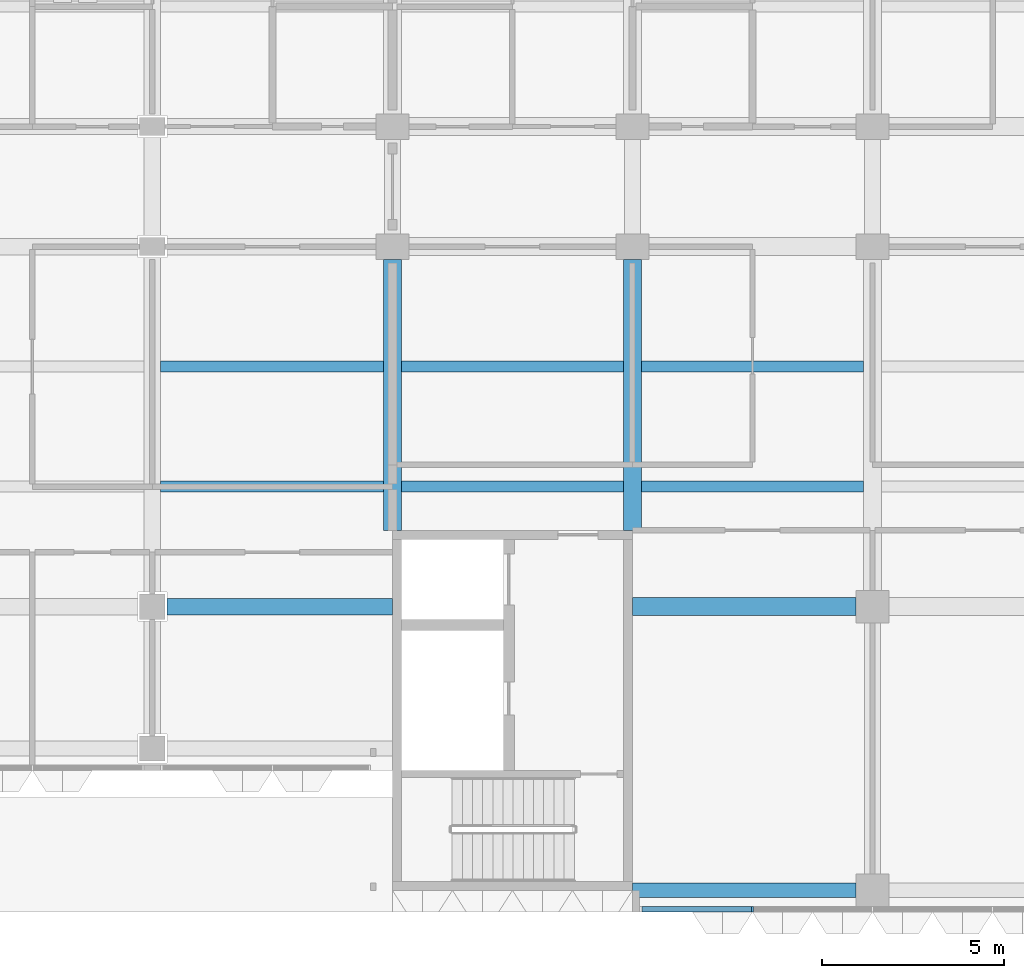
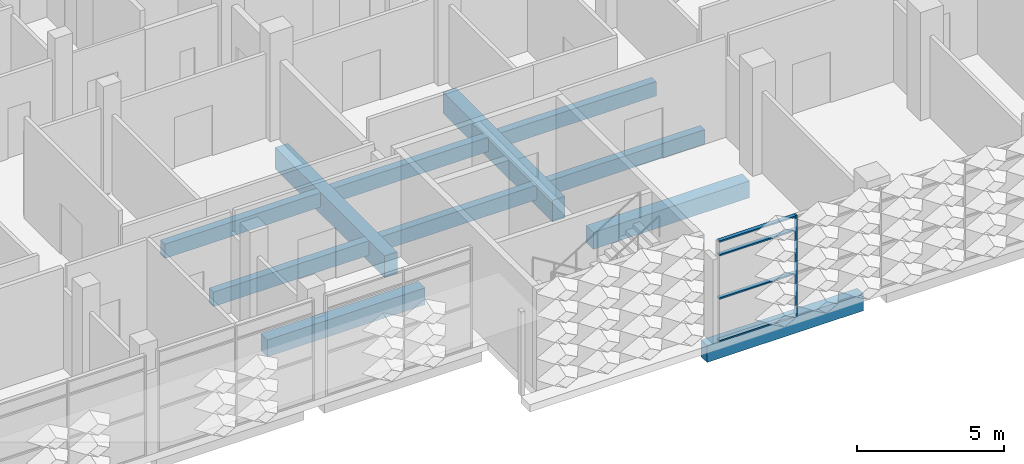
# One storey, part 10 of 109: 11 beams, 5 members, 1 element without a shape of its own.
"""IFC4 building model written with IfcOpenShell, lengths in metres."""

import ifcopenshell
import ifcopenshell.guid

model = None  # the IFC model being written
_history = None  # IfcOwnerHistory: only IFC2X3 demands one
_inside = {}  # id of a spatial element -> (the spatial element, [elements in it])
_under = {}  # id of a project, library or spatial element -> (it, [spatial elements below it])
_declared = {}  # id of a project -> (the project, [libraries it declares])
_typed = {}  # id of a type object -> (the type object, [elements of that type])
_made_of = {}  # id of a material, layer set ... -> (it, [elements and type objects made of it])


def new_model(schema):
    """Start an empty IFC model of exactly this schema.

    Asked for "IFC4X3", IfcOpenShell would pick the latest addendum, in which some entities
    have other attributes; the version numbers below select the first issue.
    IFC2X3 requires an IfcOwnerHistory on every rooted entity: one is made here for all.
    """
    global model, _history
    if schema == "IFC4X3":
        model = ifcopenshell.file(schema_version=(4, 3, 0, 0))
    else:
        model = ifcopenshell.file(schema=schema)
    _inside.clear()
    _under.clear()
    _declared.clear()
    _typed.clear()
    _made_of.clear()
    _history = None
    if model.schema == "IFC2X3":
        org = make("IfcOrganization", Name="unknown")
        user = make(
            "IfcPersonAndOrganization",
            ThePerson=make("IfcPerson", FamilyName="unknown"),
            TheOrganization=org,
        )
        app = make(
            "IfcApplication",
            ApplicationDeveloper=org,
            Version="unknown",
            ApplicationFullName="unknown",
            ApplicationIdentifier="unknown",
        )
        _history = make(
            "IfcOwnerHistory",
            OwningUser=user,
            OwningApplication=app,
            ChangeAction="ADDED",
            CreationDate=0,
        )
    return model


def make(cls, **values):
    """One entity of the class cls with the attributes given. An attribute that is None is left unset."""
    return model.create_entity(
        cls, **{name: value for name, value in values.items() if value is not None}
    )


def rooted(cls, **values):
    """An entity with a GlobalId (a new one), such as an element, a storey or a relation."""
    return make(cls, GlobalId=ifcopenshell.guid.new(), OwnerHistory=_history, **values)


def si_unit(unit_type, name, prefix=None):
    """IfcSIUnit, for example si_unit("LENGTHUNIT", "METRE", prefix="MILLI")."""
    return make("IfcSIUnit", UnitType=unit_type, Prefix=prefix, Name=name)


def assignment(units):
    """IfcUnitAssignment: the units of a project."""
    return None if units is None else make("IfcUnitAssignment", Units=units)


def point(xyz):
    """IfcCartesianPoint."""
    return None if xyz is None else make("IfcCartesianPoint", Coordinates=xyz)


def direction(xyz):
    """IfcDirection."""
    return None if xyz is None else make("IfcDirection", DirectionRatios=xyz)


def frame(location, z_axis=None, x_axis=None):
    """IfcAxis2Placement3D, a coordinate frame: its origin and axes. An axis left out is left unset."""
    return make(
        "IfcAxis2Placement3D",
        Location=point(location),
        Axis=direction(z_axis),
        RefDirection=direction(x_axis),
    )


def frame_2d(location, x_axis=None):
    """IfcAxis2Placement2D, a coordinate frame in the plane: its origin and x axis."""
    return make(
        "IfcAxis2Placement2D", Location=point(location), RefDirection=direction(x_axis)
    )


def origin():
    """The frame at (0, 0, 0) with its axes left unset."""
    return frame((0.0, 0.0, 0.0))


def origin_2d():
    """The frame at (0, 0) in the plane with its x axis left unset."""
    return frame_2d((0.0, 0.0))


def place(relative_to, where):
    """IfcLocalPlacement: puts the frame where relative to a parent placement (None: the world)."""
    return make(
        "IfcLocalPlacement", PlacementRelTo=relative_to, RelativePlacement=where
    )


def context(
    kind, dimensions, precision=None, world=None, true_north=None, identifier=None
):
    """IfcGeometricRepresentationContext, for example the 3D "Model" context."""
    return make(
        "IfcGeometricRepresentationContext",
        ContextIdentifier=identifier,
        ContextType=kind,
        CoordinateSpaceDimension=dimensions,
        Precision=precision,
        WorldCoordinateSystem=world,
        TrueNorth=true_north,
    )


def subcontext(parent, identifier, kind, view, scale=None):
    """IfcGeometricRepresentationSubContext, for example "Body" below "Model"."""
    return make(
        "IfcGeometricRepresentationSubContext",
        ContextIdentifier=identifier,
        ContextType=kind,
        ParentContext=parent,
        TargetScale=scale,
        TargetView=view,
    )


def project(units=None, contexts=None):
    """IfcProject with its units and contexts."""
    return rooted(
        "IfcProject",
        Name="project",
        RepresentationContexts=contexts,
        UnitsInContext=assignment(units),
    )


def spatial(cls, under=None, at=None, **own):
    """A site, building, storey or space (cls), placed at a placement, below another one or the project."""
    s = rooted(cls, ObjectPlacement=at, **own)
    if under is not None:
        _under.setdefault(under.id(), (under, []))[1].append(s)
    return s


def profile(cls, at=None, kind="AREA", **sizes):
    """A parametric profile (cls). Its sizes go by their IFC names, for example OverallWidth=200.0."""
    return make(cls, ProfileType=kind, Position=at, **sizes)


def rectangle(**sizes):
    """IfcRectangleProfileDef."""
    return profile("IfcRectangleProfileDef", **sizes)


def extrude(swept, where, along, depth):
    """IfcExtrudedAreaSolid: the profile swept, set in the frame where, extruded along a direction by depth."""
    return make(
        "IfcExtrudedAreaSolid",
        SweptArea=swept,
        Position=where,
        ExtrudedDirection=direction(along),
        Depth=depth,
    )


def shape(context_of_items, identifier, shape_type, items):
    """IfcShapeRepresentation: the items that make up one representation, for example the "Body"."""
    return make(
        "IfcShapeRepresentation",
        ContextOfItems=context_of_items,
        RepresentationIdentifier=identifier,
        RepresentationType=shape_type,
        Items=items,
    )


def material(Name=None, Category=None):
    """IfcMaterial."""
    return make("IfcMaterial", Name=Name, Category=Category)


def material_profile(
    of_material, cross_section, Name=None, Category=None, Priority=None
):
    """IfcMaterialProfile: a cross section and its material."""
    return make(
        "IfcMaterialProfile",
        Name=Name,
        Material=of_material,
        Profile=cross_section,
        Priority=Priority,
        Category=Category,
    )


def profile_set(profiles, Name=None, composite=None):
    """IfcMaterialProfileSet."""
    return make(
        "IfcMaterialProfileSet",
        Name=Name,
        MaterialProfiles=profiles,
        CompositeProfile=composite,
    )


def made_of(thing, what):
    """Note that an element or type object is made of a material, layer set ...; save() writes the relation."""
    if what is not None:
        _made_of.setdefault(what.id(), (what, []))[1].append(thing)
    return thing


def type_object(cls, material=None, **own):
    """A type object (cls), such as IfcWallType, which elements share."""
    return made_of(rooted(cls, **own), material)


def element(
    cls,
    number,
    at=None,
    inside=None,
    cuts=None,
    type_object=None,
    material=None,
    context=None,
    identifier="Body",
    shape_type=None,
    held_by="IfcProductDefinitionShape",
    body=None,
    shapes=None,
    **own,
):
    """One element of the class cls, such as IfcWall. Its Tag is "e" and its number.

    at: its placement. inside: the storey or other place that contains it. cuts: it is an
    opening in that element (IfcRelVoidsElement). A single representation is given by context,
    identifier, shape_type and body (its items); several are given by shapes. held_by: the class
    of the entity that holds the representations. save() writes the other relations.
    """
    e = rooted(cls, Tag="e%d" % number, ObjectPlacement=at, **own)
    if body is not None:
        shapes = [shape(context, identifier, shape_type, body)]
    if shapes is not None:
        e.Representation = make(held_by, Representations=shapes)
    if inside is not None:
        _inside.setdefault(inside.id(), (inside, []))[1].append(e)
    if cuts is not None:
        rooted(
            "IfcRelVoidsElement", RelatingBuildingElement=cuts, RelatedOpeningElement=e
        )
    if type_object is not None:
        _typed.setdefault(type_object.id(), (type_object, []))[1].append(e)
    return made_of(e, material)


def aggregate(whole, parts):
    """IfcRelAggregates: a whole, such as a stair, and the parts it consists of."""
    return rooted("IfcRelAggregates", RelatingObject=whole, RelatedObjects=parts)


def save(model, path):
    """Write the relations noted so far, then the file.

    IfcRelAggregates (storeys below a building ...), IfcRelContainedInSpatialStructure (elements
    in a storey), IfcRelDefinesByType, IfcRelAssociatesMaterial and IfcRelDeclares: one each for
    every whole, place, type object, material and project.
    """
    for whole, parts in _under.values():
        aggregate(whole, parts)
    for where, things in _inside.values():
        rooted(
            "IfcRelContainedInSpatialStructure",
            RelatedElements=things,
            RelatingStructure=where,
        )
    for kind, things in _typed.values():
        rooted("IfcRelDefinesByType", RelatedObjects=things, RelatingType=kind)
    for what, things in _made_of.values():
        rooted("IfcRelAssociatesMaterial", RelatedObjects=things, RelatingMaterial=what)
    for by, libraries in _declared.values():
        rooted("IfcRelDeclares", RelatingContext=by, RelatedDefinitions=libraries)
    model.write(path)


model = new_model("IFC4")

# Units and contexts
model_context = context("Model", 3, precision=1e-05, world=origin(), true_north=direction((0.0, 1.0)))
body_context = subcontext(model_context, "Body", "Model", "MODEL_VIEW")
ifc_project = project(units=[si_unit("LENGTHUNIT", "METRE"), si_unit("AREAUNIT", "SQUARE_METRE"), si_unit("VOLUMEUNIT", "CUBIC_METRE"), si_unit("PLANEANGLEUNIT", "RADIAN"), si_unit("MASSUNIT", "GRAM", prefix="KILO")], contexts=[model_context])

# Site, building, storey
site_placement = place(None, origin())
site = spatial("IfcSite", under=ifc_project, at=site_placement, CompositionType="ELEMENT")
building_placement = place(site_placement, origin())
building = spatial("IfcBuilding", under=site, at=building_placement, Name="Lantern Court Research Institute", CompositionType="ELEMENT")
storey_placement = place(building_placement, frame((0.0, 0.0, 14.39990234375)))
storey = spatial("IfcBuildingStorey", under=building, at=storey_placement, Name="L03", CompositionType="ELEMENT", Elevation=14.39990234375)

# Curtain wall, member
ifc_material_1 = material(Name="Aluminium alloy 6063-T6", Category="aluminium")
curtain_wall_type = type_object("IfcCurtainWallType", Name="Curtain wall 20200 x 4200 x 150 aluminium frame", PredefinedType="NOTDEFINED", material=ifc_material_1)
curtain_wall_placement = place(storey_placement, origin())
curtain_wall = element("IfcCurtainWall", 1, at=curtain_wall_placement, inside=storey, type_object=curtain_wall_type, Name="Curtain wall CW059", PredefinedType="NOTDEFINED")
ifc_material_2 = material(Name="Aluminium alloy 6063-T6", Category="aluminium")
ifc_material_profile_1 = material_profile(ifc_material_2, rectangle(XDim=0.14990234375, YDim=0.06005859375, at=origin_2d()), Name="Mullion 150 x 60")
ifc_profile_set_1 = profile_set([ifc_material_profile_1], Name="Aluminium alloy 6063-T6")
member_type_1 = type_object("IfcMemberType", Name="Mullion 150 x 60 aluminium", PredefinedType="MULLION", material=ifc_profile_set_1)
member_1_placement = place(storey_placement, frame((62.699951171875, -8.324951171875, 0.0), z_axis=(0.0, 0.0, 1.0), x_axis=(0.0, -1.0, 0.0)))
member_1 = element("IfcMember", 2, at=member_1_placement, type_object=member_type_1, Name="CW059 mullion 2", PredefinedType="MULLION", context=body_context, shape_type="SweptSolid", body=[
    extrude(rectangle(XDim=0.14990234375, YDim=0.06005859375, at=origin_2d()), origin(), (0.0, 0.0, 1.0), 4.2001953125),
])

# Beams
ifc_material_3 = material(Name="Concrete C40/50", Category="concrete")
ifc_material_profile_2 = material_profile(ifc_material_3, rectangle(XDim=0.449951171875, YDim=0.699951171875, at=origin_2d()), Name="RC beam 450 x 700")
ifc_profile_set_2 = profile_set([ifc_material_profile_2], Name="Concrete C40/50")
beam_type_1 = type_object("IfcBeamType", Name="RC beam 450 x 700", PredefinedType="BEAM", material=ifc_profile_set_2)
beam_1_placement = place(storey_placement, frame((46.60009765625, 0.0, -0.64990234375), z_axis=(1.0, 0.0, 0.0), x_axis=(0.0, 1.0, 0.0)))
element("IfcBeam", 3, at=beam_1_placement, inside=storey, type_object=beam_type_1, Name="Beam L03 grid A/8-9", PredefinedType="BEAM", context=body_context, shape_type="SweptSolid", body=[
    extrude(rectangle(XDim=0.449951171875, YDim=0.699951171875, at=origin_2d()), origin(), (0.0, 0.0, 1.0), 6.199951171875),
])
ifc_material_4 = material(Name="Concrete C40/50", Category="concrete")
ifc_material_profile_3 = material_profile(ifc_material_4, rectangle(XDim=0.5, YDim=0.699951171875, at=origin_2d()), Name="RC beam 500 x 700")
ifc_profile_set_3 = profile_set([ifc_material_profile_3], Name="Concrete C40/50")
beam_type_2 = type_object("IfcBeamType", Name="RC beam 500 x 700", PredefinedType="BEAM", material=ifc_profile_set_3)
beam_2_placement = place(storey_placement, frame((59.39990234375, 0.0, -0.64990234375), z_axis=(1.0, 0.0, 0.0), x_axis=(0.0, 1.0, 0.0)))
element("IfcBeam", 4, at=beam_2_placement, inside=storey, type_object=beam_type_2, Name="Beam L03 grid A/10-11", PredefinedType="BEAM", context=body_context, shape_type="SweptSolid", body=[
    extrude(rectangle(XDim=0.5, YDim=0.699951171875, at=origin_2d()), origin(), (0.0, 0.0, 1.0), 6.150146484375),
])
ifc_material_5 = material(Name="Concrete C40/50", Category="concrete")
ifc_material_profile_4 = material_profile(ifc_material_5, rectangle(XDim=0.39990234375, YDim=0.699951171875, at=origin_2d()), Name="RC beam 400 x 700")
ifc_profile_set_4 = profile_set([ifc_material_profile_4], Name="Concrete C40/50")
beam_type_3 = type_object("IfcBeamType", Name="RC edge beam 400 x 700", PredefinedType="BEAM", material=ifc_profile_set_4)
beam_3_placement = place(storey_placement, frame((59.39990234375, -7.800048828125, -0.64990234375), z_axis=(1.0, 0.0, 0.0), x_axis=(0.0, 1.0, 0.0)))
element("IfcBeam", 5, at=beam_3_placement, inside=storey, type_object=beam_type_3, Name="Edge beam L03 grid Z/10-11", PredefinedType="BEAM", context=body_context, shape_type="SweptSolid", body=[
    extrude(rectangle(XDim=0.39990234375, YDim=0.699951171875, at=origin_2d()), origin(), (0.0, 0.0, 1.0), 6.150146484375),
])
ifc_material_6 = material(Name="Concrete C40/50", Category="concrete")
ifc_material_profile_5 = material_profile(ifc_material_6, rectangle(XDim=0.5, YDim=0.89990234375, at=origin_2d()), Name="RC beam 500 x 900")
ifc_profile_set_5 = profile_set([ifc_material_profile_5], Name="Concrete C40/50")
beam_type_4 = type_object("IfcBeamType", Name="RC girder 500 x 900", PredefinedType="BEAM", material=ifc_profile_set_5)
for number, where, z_axis, x_axis, name in (
    (6, (52.800048828125, 2.10009765625, -0.75), (0.0, 1.0, 0.0), (-1.0, 0.0, 0.0), "Girder L03 grid 9/A-B"),
    (7, (59.39990234375, 2.10009765625, -0.75), (0.0, 1.0, 0.0), (-1.0, 0.0, 0.0), "Girder L03 grid 10/A-B"),
):
    element("IfcBeam", number, at=place(storey_placement, frame(where, z_axis=z_axis, x_axis=x_axis)), inside=storey, type_object=beam_type_4, Name=name, PredefinedType="BEAM", context=body_context, shape_type="SweptSolid", body=[
        extrude(rectangle(XDim=0.5, YDim=0.89990234375, at=origin_2d()), origin(), (0.0, 0.0, 1.0), 7.449951171875),
    ])
ifc_material_7 = material(Name="Concrete C40/50", Category="concrete")
ifc_material_profile_6 = material_profile(ifc_material_7, rectangle(XDim=0.300048828125, YDim=0.60009765625, at=origin_2d()), Name="RC beam 300 x 600")
ifc_profile_set_6 = profile_set([ifc_material_profile_6], Name="Concrete C40/50")
beam_type_5 = type_object("IfcBeamType", Name="RC secondary beam 300 x 600", PredefinedType="BEAM", material=ifc_profile_set_6)
for number, where, z_axis, x_axis, name in (
    (8, (46.425048828125, 3.300048828125, -0.599853515625), (1.0, 0.0, 0.0), (0.0, 1.0, 0.0), "Secondary beam L03 grids 8-9 / A-B, line 1"),
    (9, (46.425048828125, 6.60009765625, -0.599853515625), (1.0, 0.0, 0.0), (0.0, 1.0, 0.0), "Secondary beam L03 grids 8-9 / A-B, line 2"),
):
    element("IfcBeam", number, at=place(storey_placement, frame(where, z_axis=z_axis, x_axis=x_axis)), inside=storey, type_object=beam_type_5, Name=name, PredefinedType="BEAM", context=body_context, shape_type="SweptSolid", body=[
        extrude(rectangle(XDim=0.300048828125, YDim=0.60009765625, at=origin_2d()), origin(), (0.0, 0.0, 1.0), 6.125),
    ])
beam_4_placement = place(storey_placement, frame((53.050048828125, 3.300048828125, -0.599853515625), z_axis=(1.0, 0.0, 0.0), x_axis=(0.0, 1.0, 0.0)))
element("IfcBeam", 10, at=beam_4_placement, inside=storey, type_object=beam_type_5, Name="Secondary beam L03 grids 9-10 / A-B, line 1", PredefinedType="BEAM", context=body_context, shape_type="SweptSolid", body=[
    extrude(rectangle(XDim=0.300048828125, YDim=0.60009765625, at=origin_2d()), origin(), (0.0, 0.0, 1.0), 6.099853515625),
])
beam_5_placement = place(storey_placement, frame((59.64990234375, 3.300048828125, -0.599853515625), z_axis=(1.0, 0.0, 0.0), x_axis=(0.0, 1.0, 0.0)))
element("IfcBeam", 11, at=beam_5_placement, inside=storey, type_object=beam_type_5, Name="Secondary beam L03 grids 10-11 / A-B, line 1", PredefinedType="BEAM", context=body_context, shape_type="SweptSolid", body=[
    extrude(rectangle(XDim=0.300048828125, YDim=0.60009765625, at=origin_2d()), origin(), (0.0, 0.0, 1.0), 6.10009765625),
])
beam_6_placement = place(storey_placement, frame((53.050048828125, 6.60009765625, -0.599853515625), z_axis=(1.0, 0.0, 0.0), x_axis=(0.0, 1.0, 0.0)))
element("IfcBeam", 12, at=beam_6_placement, inside=storey, type_object=beam_type_5, Name="Secondary beam L03 grids 9-10 / A-B, line 2", PredefinedType="BEAM", context=body_context, shape_type="SweptSolid", body=[
    extrude(rectangle(XDim=0.300048828125, YDim=0.60009765625, at=origin_2d()), origin(), (0.0, 0.0, 1.0), 6.099853515625),
])
beam_7_placement = place(storey_placement, frame((59.64990234375, 6.60009765625, -0.599853515625), z_axis=(1.0, 0.0, 0.0), x_axis=(0.0, 1.0, 0.0)))
element("IfcBeam", 13, at=beam_7_placement, inside=storey, type_object=beam_type_5, Name="Secondary beam L03 grids 10-11 / A-B, line 2", PredefinedType="BEAM", context=body_context, shape_type="SweptSolid", body=[
    extrude(rectangle(XDim=0.300048828125, YDim=0.60009765625, at=origin_2d()), origin(), (0.0, 0.0, 1.0), 6.10009765625),
])

# Member
ifc_material_8 = material(Name="Aluminium alloy 6063-T6", Category="aluminium")
ifc_material_profile_7 = material_profile(ifc_material_8, rectangle(XDim=0.14990234375, YDim=0.06005859375, at=origin_2d()), Name="Transom 150 x 60")
ifc_profile_set_7 = profile_set([ifc_material_profile_7], Name="Aluminium alloy 6063-T6")
member_type_2 = type_object("IfcMemberType", Name="Transom 150 x 60 aluminium", PredefinedType="USERDEFINED", material=ifc_profile_set_7)
member_2_placement = place(storey_placement, frame((62.669921875, -8.324951171875, 0.030029296875), z_axis=(-1.0, 0.0, 0.0), x_axis=(0.0, -1.0, 0.0)))
member_2 = element("IfcMember", 14, at=member_2_placement, type_object=member_type_2, Name="CW059 transom 1.1", ObjectType="TRANSOM", PredefinedType="USERDEFINED", context=body_context, shape_type="SweptSolid", body=[
    extrude(rectangle(XDim=0.14990234375, YDim=0.06005859375, at=origin_2d()), origin(), (0.0, 0.0, 1.0), 3.010009765625),
])

member_3_placement = place(storey_placement, frame((62.669921875, -8.324951171875, 1.800048828125), z_axis=(-1.0, 0.0, 0.0), x_axis=(0.0, -1.0, 0.0)))
member_3 = element("IfcMember", 15, at=member_3_placement, type_object=member_type_2, Name="CW059 transom 1.2", ObjectType="TRANSOM", PredefinedType="USERDEFINED", context=body_context, shape_type="SweptSolid", body=[
    extrude(rectangle(XDim=0.14990234375, YDim=0.06005859375, at=origin_2d()), origin(), (0.0, 0.0, 1.0), 3.010009765625),
])

member_4_placement = place(storey_placement, frame((62.669921875, -8.324951171875, 3.60009765625), z_axis=(-1.0, 0.0, 0.0), x_axis=(0.0, -1.0, 0.0)))
member_4 = element("IfcMember", 16, at=member_4_placement, type_object=member_type_2, Name="CW059 transom 1.3", ObjectType="TRANSOM", PredefinedType="USERDEFINED", context=body_context, shape_type="SweptSolid", body=[
    extrude(rectangle(XDim=0.14990234375, YDim=0.06005859375, at=origin_2d()), origin(), (0.0, 0.0, 1.0), 3.010009765625),
])

member_5_placement = place(storey_placement, frame((62.669921875, -8.324951171875, 4.170166015625), z_axis=(-1.0, 0.0, 0.0), x_axis=(0.0, -1.0, 0.0)))
member_5 = element("IfcMember", 17, at=member_5_placement, type_object=member_type_2, Name="CW059 transom 1.4", ObjectType="TRANSOM", PredefinedType="USERDEFINED", context=body_context, shape_type="SweptSolid", body=[
    extrude(rectangle(XDim=0.14990234375, YDim=0.06005859375, at=origin_2d()), origin(), (0.0, 0.0, 1.0), 3.010009765625),
])

aggregate(curtain_wall, [member_1, member_2, member_3, member_4, member_5])

save(model, "model.ifc")
